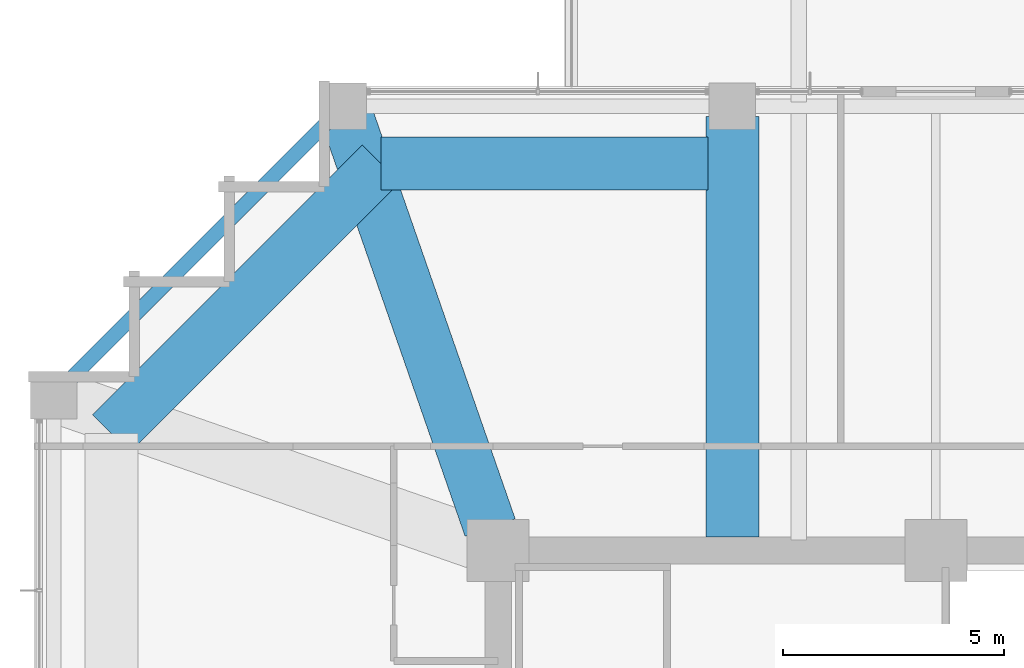
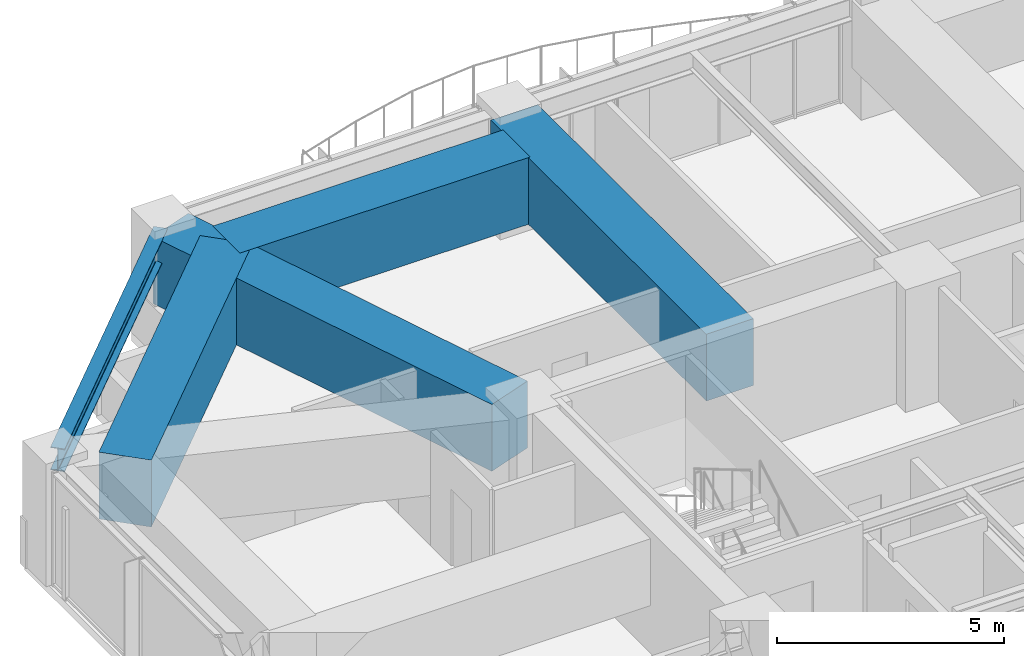
# One storey, part 18 of 34: 5 beams.
"""IFC4 building model written with IfcOpenShell, lengths in metres."""

from ifc_helpers import new_model, si_unit, direction, frame, origin, origin_2d, place, context, subcontext, project, spatial, rectangle, i_section, extrude, material, material_profile, profile_set, type_object, element, save


model = new_model("IFC4")

# Units and contexts
model_context = context("Model", 3, precision=1e-05, world=origin(), true_north=direction((0.0, 1.0)))
body_context = subcontext(model_context, "Body", "Model", "MODEL_VIEW")
ifc_project = project(units=[si_unit("LENGTHUNIT", "METRE"), si_unit("AREAUNIT", "SQUARE_METRE"), si_unit("VOLUMEUNIT", "CUBIC_METRE"), si_unit("PLANEANGLEUNIT", "RADIAN"), si_unit("MASSUNIT", "GRAM", prefix="KILO")], contexts=[model_context])

# Site, building, storey
site_placement = place(None, origin())
site = spatial("IfcSite", under=ifc_project, at=site_placement, CompositionType="ELEMENT")
building_placement = place(site_placement, origin())
building = spatial("IfcBuilding", under=site, at=building_placement, Name="Kolvaren Belvedere", CompositionType="ELEMENT")
storey_placement = place(building_placement, frame((0.0, 0.0, 105.199951171875)))
storey = spatial("IfcBuildingStorey", under=building, at=storey_placement, Name="L30", CompositionType="ELEMENT", Elevation=105.199951171875)

# Beams
ifc_material_1 = material(Name="Structural steel ASTM A992 Grade 50", Category="steel")
ifc_material_profile_1 = material_profile(ifc_material_1, i_section(OverallWidth=0.324951171875, OverallDepth=0.615966796875, WebThickness=0.013916015625, FlangeThickness=0.021484375, FilletRadius=0.02001953125, at=origin_2d()), Name="W24X117")
ifc_profile_set_1 = profile_set([ifc_material_profile_1], Name="Structural steel ASTM A992 Grade 50")
beam_type_1 = type_object("IfcBeamType", Name="BM-SPAN-W24X117", PredefinedType="SPANDREL", material=ifc_profile_set_1)
beam_1_placement = place(storey_placement, frame((-13.567138671875, 19.782958984375, 2.77197265625), z_axis=(-0.707106781187, -0.707106781187, 0.0), x_axis=(0.707106781187, -0.707106781187, 0.0)))
element("IfcBeam", 1, at=beam_1_placement, inside=storey, type_object=beam_type_1, Name="L30 Perimeter Spandrel N1-W4", PredefinedType="SPANDREL", context=body_context, shape_type="SweptSolid", body=[
    extrude(i_section(OverallWidth=0.324951171875, OverallDepth=0.615966796875, WebThickness=0.013916015625, FlangeThickness=0.021484375, FilletRadius=0.02001953125, at=origin_2d()), origin(), (0.0, 0.0, 1.0), 8.79052734375),
])
ifc_material_2 = material(Name="Concrete C50/60", Category="concrete")
ifc_material_profile_2 = material_profile(ifc_material_2, rectangle(XDim=1.199951171875, YDim=1.800048828125, at=origin_2d()), Name="RC 1200X1800")
ifc_profile_set_2 = profile_set([ifc_material_profile_2], Name="Concrete C50/60")
beam_type_2 = type_object("IfcBeamType", Name="BM-TG-1800", PredefinedType="BEAM", material=ifc_profile_set_2)
beam_2_placement = place(storey_placement, frame((-5.14990234375, 18.64990234375, 2.179931640625), z_axis=(-1.0, 0.0, 0.0), x_axis=(0.0, -1.0, 0.0)))
element("IfcBeam", 2, at=beam_2_placement, inside=storey, type_object=beam_type_2, Name="L30 Step Transfer Ring Girder N2-N1", PredefinedType="BEAM", context=body_context, shape_type="SweptSolid", body=[
    extrude(rectangle(XDim=1.199951171875, YDim=1.800048828125, at=origin_2d()), origin(), (0.0, 0.0, 1.0), 7.400146484375),
])
beam_3_placement = place(storey_placement, frame((-12.550048828125, 18.64990234375, 2.179931640625), z_axis=(-0.707106781187, -0.707106781187, 0.0), x_axis=(0.707106781187, -0.707106781187, 0.0)))
element("IfcBeam", 3, at=beam_3_placement, inside=storey, type_object=beam_type_2, Name="L30 Step Transfer Ring Girder N1-W4", PredefinedType="BEAM", context=body_context, shape_type="SweptSolid", body=[
    extrude(rectangle(XDim=1.199951171875, YDim=1.800048828125, at=origin_2d()), origin(), (0.0, 0.0, 1.0), 8.62646484375),
])
beam_4_placement = place(storey_placement, frame((-4.60009765625, 10.199951171875, 2.179931640625), z_axis=(0.0, 1.0, 0.0), x_axis=(-1.0, 0.0, 0.0)))
element("IfcBeam", 4, at=beam_4_placement, inside=storey, type_object=beam_type_2, Name="L30 North Radial Girder M", PredefinedType="BEAM", context=body_context, shape_type="SweptSolid", body=[
    extrude(rectangle(XDim=1.199951171875, YDim=1.800048828125, at=origin_2d()), origin(), (0.0, 0.0, 1.0), 9.513916015625),
])
beam_5_placement = place(storey_placement, frame((-10.080810546875, 10.41943359375, 2.179931640625), z_axis=(-0.328880894453, 0.944371408538, 0.0), x_axis=(-0.944371408538, -0.328880894453, 0.0)))
element("IfcBeam", 5, at=beam_5_placement, inside=storey, type_object=beam_type_2, Name="L30 Corner Core-to-Perimeter Girder CC4-N1", PredefinedType="BEAM", context=body_context, shape_type="SweptSolid", body=[
    extrude(rectangle(XDim=1.199951171875, YDim=1.800048828125, at=origin_2d()), origin(), (0.0, 0.0, 1.0), 9.882080078125),
])

save(model, "model.ifc")
